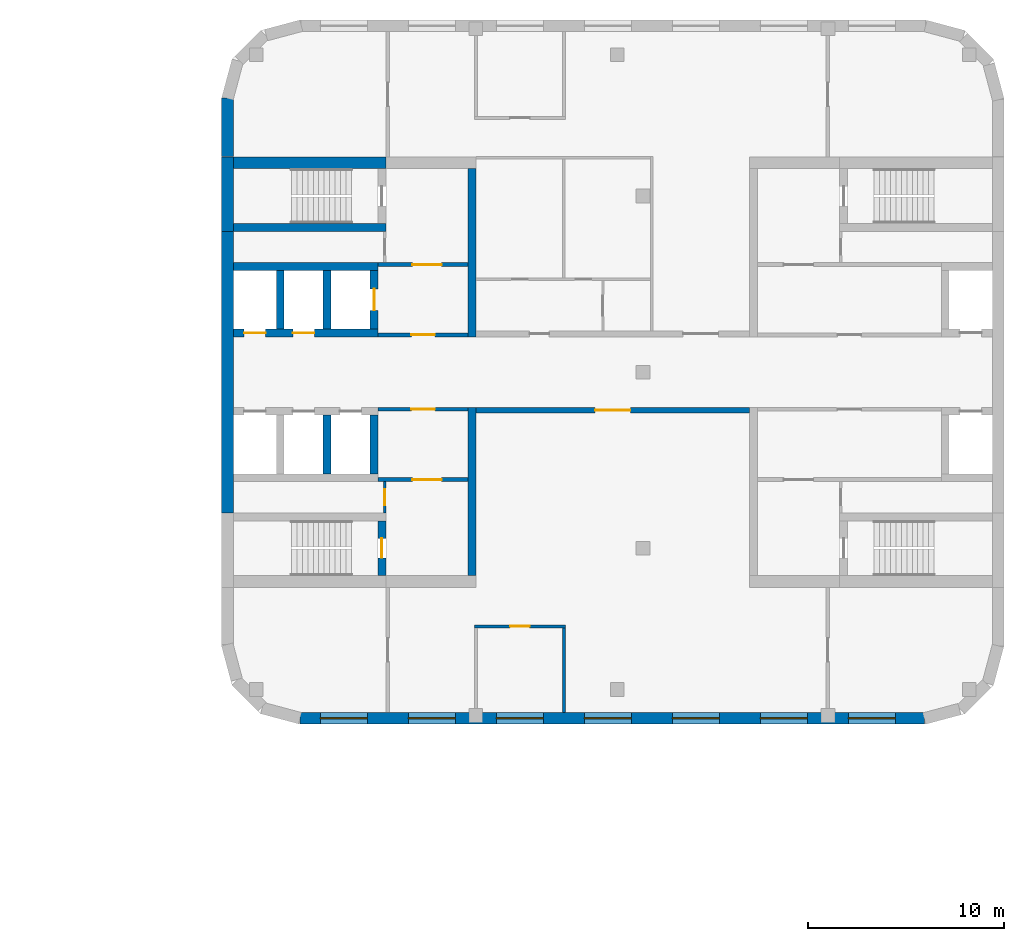
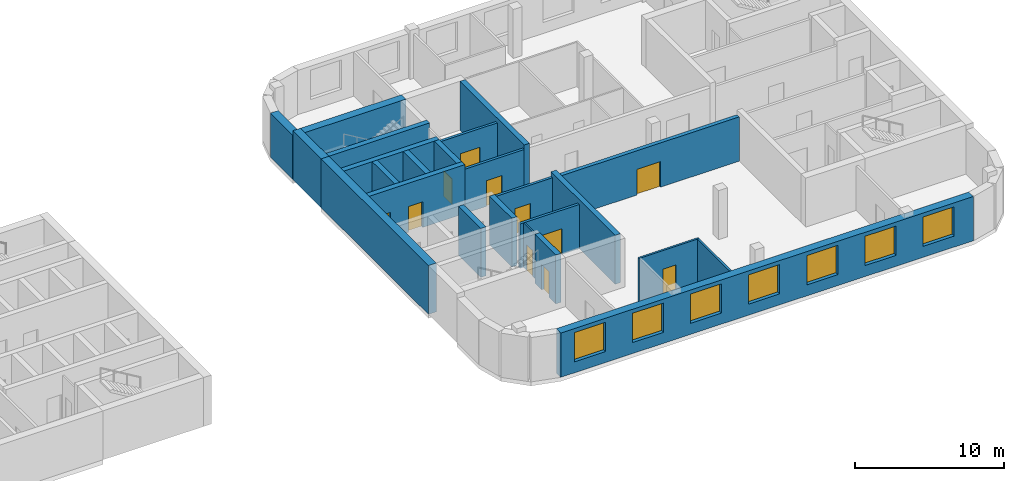
# One storey, part 7 of 12: 24 walls, 11 doors, 7 windows, 18 openings.
"""IFC4 building model written with IfcOpenShell, lengths in metres."""

from ifc_helpers import new_model, si_unit, direction, frame, frame_2d, origin, place, context, subcontext, project, spatial, rectangle, extrude, material, layer, layer_set, type_object, element, fill, save


model = new_model("IFC4")

# Units and contexts
model_context = context("Model", 3, precision=1e-05, world=origin(), true_north=direction((0.0, 1.0)))
body_context = subcontext(model_context, "Body", "Model", "MODEL_VIEW")
ifc_project = project(units=[si_unit("LENGTHUNIT", "METRE"), si_unit("AREAUNIT", "SQUARE_METRE"), si_unit("VOLUMEUNIT", "CUBIC_METRE"), si_unit("PLANEANGLEUNIT", "RADIAN"), si_unit("MASSUNIT", "GRAM", prefix="KILO")], contexts=[model_context])

# Site, building, storey
site_placement = place(None, origin())
site = spatial("IfcSite", under=ifc_project, at=site_placement, CompositionType="ELEMENT")
building_placement = place(site_placement, origin())
building = spatial("IfcBuilding", under=site, at=building_placement, Name="Skarvind Civic Tower", CompositionType="ELEMENT")
storey_placement = place(building_placement, frame((0.0, 0.0, 59.5)))
storey = spatial("IfcBuildingStorey", under=building, at=storey_placement, Name="L13", CompositionType="ELEMENT", Elevation=59.5)

# Wall, opening, door
ifc_material_1 = material(Name="Fire-rated gypsum board on steel studs", Category="steel")
ifc_layer_1 = layer(ifc_material_1, 0.300048828125)
ifc_layer_set_1 = layer_set([ifc_layer_1], Name="CORRIDOR WALL 300")
wall_type_1 = type_object("IfcWallType", Name="CORRIDOR WALL 300", PredefinedType="PARTITIONING", material=ifc_layer_set_1)
wall_1_placement = place(storey_placement, frame((154.0, 126.050048828125, 0.0), z_axis=(0.0, 0.0, 1.0), x_axis=(-1.0, 0.0, 0.0)))
wall_1 = element("IfcWall", 1, at=wall_1_placement, inside=storey, type_object=wall_type_1, Name="Partition 13.015", PredefinedType="PARTITIONING", context=body_context, shape_type="SweptSolid", body=[
    extrude(rectangle(XDim=14.0, YDim=0.300048828125, at=frame_2d((7.0, 0.0))), origin(), (0.0, 0.0, 1.0), 3.625),
])
opening_1_placement = place(wall_1_placement, frame((6.10009765625, 0.0, 0.0)))
opening_1 = element("IfcOpeningElement", 2, at=opening_1_placement, cuts=wall_1, Name="Opening L13-D109", PredefinedType="OPENING", context=body_context, shape_type="SweptSolid", body=[
    extrude(rectangle(XDim=1.800048828125, YDim=2.10009765625, at=frame_2d((0.89990234375, 1.050048828125))), frame((0.0, 0.159912109375, 0.0), z_axis=(0.0, -1.0, 0.0), x_axis=(1.0, 0.0, 0.0)), (0.0, 0.0, 1.0), 0.320068359375),
])
ifc_material_2 = material(Name="Fire-rated timber door leaf", Category="wood")
door_type_1 = type_object("IfcDoorType", Name="FD4 1800x2100", OperationType="NOTDEFINED", PredefinedType="DOOR", material=ifc_material_2)
door_1_placement = place(opening_1_placement, origin())
door_1 = element("IfcDoor", 3, at=door_1_placement, inside=storey, type_object=door_type_1, Name="Door L13-D109", OperationType="DOUBLE_DOOR_SINGLE_SWING", OverallHeight=2.10009765625, OverallWidth=1.800048828125, PredefinedType="DOOR", context=body_context, shape_type="SweptSolid", body=[
    extrude(rectangle(XDim=1.800048828125, YDim=2.10009765625, at=frame_2d((0.89990234375, 1.050048828125))), frame((0.0, 0.02490234375, 0.0), z_axis=(0.0, -1.0, 0.0), x_axis=(1.0, 0.0, 0.0)), (0.0, 0.0, 1.0), 0.050048828125),
])
fill(opening_1, door_1)

ifc_material_3 = material(Name="Fire-rated masonry partition", Category="masonry")
ifc_layer_2 = layer(ifc_material_3, 0.199951171875)
ifc_layer_set_2 = layer_set([ifc_layer_2], Name="Core enclosure wall 200")
wall_type_2 = type_object("IfcWallType", Name="Core enclosure wall 200", PredefinedType="PARTITIONING", material=ifc_layer_set_2)
wall_2_placement = place(storey_placement, frame((135.0, 129.89990234375, 0.0), z_axis=(0.0, 0.0, 1.0), x_axis=(1.0, 0.0, 0.0)))
wall_2 = element("IfcWall", 4, at=wall_2_placement, inside=storey, type_object=wall_type_2, Name="Core wall CA", PredefinedType="PARTITIONING", context=body_context, shape_type="SweptSolid", body=[
    extrude(rectangle(XDim=4.60009765625, YDim=0.199951171875, at=frame_2d((2.300048828125, 0.0))), origin(), (0.0, 0.0, 1.0), 3.625),
])
opening_2_placement = place(wall_2_placement, frame((1.699951171875, 0.0, 0.0)))
opening_2 = element("IfcOpeningElement", 5, at=opening_2_placement, cuts=wall_2, Name="Opening D-L13-CA-06", PredefinedType="OPENING", context=body_context, shape_type="SweptSolid", body=[
    extrude(rectangle(XDim=1.199951171875, YDim=2.10009765625, at=frame_2d((0.60009765625, 1.050048828125))), frame((0.0, 0.10986328125, 0.0), z_axis=(0.0, -1.0, 0.0), x_axis=(1.0, 0.0, 0.0)), (0.0, 0.0, 1.0), 0.219970703125),
])
ifc_material_4 = material(Name="Fire-rated steel door", Category="steel")
door_type_2 = type_object("IfcDoorType", Name="Core lobby door 1200", OperationType="NOTDEFINED", PredefinedType="DOOR", material=ifc_material_4)
door_2_placement = place(opening_2_placement, origin())
door_2 = element("IfcDoor", 6, at=door_2_placement, inside=storey, type_object=door_type_2, Name="Fire door", OperationType="DOUBLE_DOOR_SINGLE_SWING", OverallHeight=2.10009765625, OverallWidth=1.199951171875, PredefinedType="DOOR", context=body_context, shape_type="SweptSolid", body=[
    extrude(rectangle(XDim=1.199951171875, YDim=2.10009765625, at=frame_2d((0.60009765625, 1.050048828125))), frame((0.0, 0.02490234375, 0.0), z_axis=(0.0, -1.0, 0.0), x_axis=(1.0, 0.0, 0.0)), (0.0, 0.0, 1.0), 0.050048828125),
])
fill(opening_2, door_2)

wall_3_placement = place(storey_placement, frame((135.0, 133.5, 0.0), z_axis=(0.0, 0.0, 1.0), x_axis=(1.0, 0.0, 0.0)))
wall_3 = element("IfcWall", 7, at=wall_3_placement, inside=storey, type_object=wall_type_2, Name="Core wall CA", PredefinedType="PARTITIONING", context=body_context, shape_type="SweptSolid", body=[
    extrude(rectangle(XDim=4.60009765625, YDim=0.199951171875, at=frame_2d((2.300048828125, 0.0))), origin(), (0.0, 0.0, 1.0), 3.625),
])
opening_3_placement = place(wall_3_placement, frame((1.75, 0.0, 0.0)))
opening_3 = element("IfcOpeningElement", 8, at=opening_3_placement, cuts=wall_3, Name="Opening D-L13-CA-07", PredefinedType="OPENING", context=body_context, shape_type="SweptSolid", body=[
    extrude(rectangle(XDim=1.5, YDim=2.10009765625, at=frame_2d((0.75, 1.050048828125))), frame((0.0, 0.10986328125, 0.0), z_axis=(0.0, -1.0, 0.0), x_axis=(1.0, 0.0, 0.0)), (0.0, 0.0, 1.0), 0.219970703125),
])
door_type_3 = type_object("IfcDoorType", Name="Fire door 1500", OperationType="NOTDEFINED", PredefinedType="DOOR", material=ifc_material_4)
door_3_placement = place(opening_3_placement, origin())
door_3 = element("IfcDoor", 9, at=door_3_placement, inside=storey, type_object=door_type_3, Name="Fire door", OperationType="DOUBLE_DOOR_SINGLE_SWING", OverallHeight=2.10009765625, OverallWidth=1.5, PredefinedType="DOOR", context=body_context, shape_type="SweptSolid", body=[
    extrude(rectangle(XDim=1.5, YDim=2.10009765625, at=frame_2d((0.75, 1.050048828125))), frame((0.0, 0.02490234375, 0.0), z_axis=(0.0, -1.0, 0.0), x_axis=(1.0, 0.0, 0.0)), (0.0, 0.0, 1.0), 0.050048828125),
])
fill(opening_3, door_3)

wall_4_placement = place(storey_placement, frame((139.60009765625, 126.10009765625, 0.0), z_axis=(0.0, 0.0, 1.0), x_axis=(-1.0, 0.0, 0.0)))
wall_4 = element("IfcWall", 10, at=wall_4_placement, inside=storey, type_object=wall_type_2, Name="Core wall CA", PredefinedType="PARTITIONING", context=body_context, shape_type="SweptSolid", body=[
    extrude(rectangle(XDim=4.60009765625, YDim=0.199951171875, at=frame_2d((2.300048828125, 0.0))), origin(), (0.0, 0.0, 1.0), 3.625),
])
opening_4_placement = place(wall_4_placement, frame((1.699951171875, 0.0, 0.0)))
opening_4 = element("IfcOpeningElement", 11, at=opening_4_placement, cuts=wall_4, Name="Opening D-L13-CA-10", PredefinedType="OPENING", context=body_context, shape_type="SweptSolid", body=[
    extrude(rectangle(XDim=1.199951171875, YDim=2.10009765625, at=frame_2d((0.60009765625, 1.050048828125))), frame((0.0, 0.10986328125, 0.0), z_axis=(0.0, -1.0, 0.0), x_axis=(1.0, 0.0, 0.0)), (0.0, 0.0, 1.0), 0.219970703125),
])
door_4_placement = place(opening_4_placement, origin())
door_4 = element("IfcDoor", 12, at=door_4_placement, inside=storey, type_object=door_type_2, Name="Fire door", OperationType="DOUBLE_DOOR_SINGLE_SWING", OverallHeight=2.10009765625, OverallWidth=1.199951171875, PredefinedType="DOOR", context=body_context, shape_type="SweptSolid", body=[
    extrude(rectangle(XDim=1.199951171875, YDim=2.10009765625, at=frame_2d((0.60009765625, 1.050048828125))), frame((0.0, 0.02490234375, 0.0), z_axis=(0.0, -1.0, 0.0), x_axis=(1.0, 0.0, 0.0)), (0.0, 0.0, 1.0), 0.050048828125),
])
fill(opening_4, door_4)

wall_5_placement = place(storey_placement, frame((139.60009765625, 122.5, 0.0), z_axis=(0.0, 0.0, 1.0), x_axis=(-1.0, 0.0, 0.0)))
wall_5 = element("IfcWall", 13, at=wall_5_placement, inside=storey, type_object=wall_type_2, Name="Core wall CA", PredefinedType="PARTITIONING", context=body_context, shape_type="SweptSolid", body=[
    extrude(rectangle(XDim=4.60009765625, YDim=0.199951171875, at=frame_2d((2.300048828125, 0.0))), origin(), (0.0, 0.0, 1.0), 3.625),
])
opening_5_placement = place(wall_5_placement, frame((1.35009765625, 0.0, 0.0)))
opening_5 = element("IfcOpeningElement", 14, at=opening_5_placement, cuts=wall_5, Name="Opening D-L13-CA-11", PredefinedType="OPENING", context=body_context, shape_type="SweptSolid", body=[
    extrude(rectangle(XDim=1.5, YDim=2.10009765625, at=frame_2d((0.75, 1.050048828125))), frame((0.0, 0.10986328125, 0.0), z_axis=(0.0, -1.0, 0.0), x_axis=(1.0, 0.0, 0.0)), (0.0, 0.0, 1.0), 0.219970703125),
])
door_5_placement = place(opening_5_placement, origin())
door_5 = element("IfcDoor", 15, at=door_5_placement, inside=storey, type_object=door_type_3, Name="Fire door", OperationType="DOUBLE_DOOR_SINGLE_SWING", OverallHeight=2.10009765625, OverallWidth=1.5, PredefinedType="DOOR", context=body_context, shape_type="SweptSolid", body=[
    extrude(rectangle(XDim=1.5, YDim=2.10009765625, at=frame_2d((0.75, 1.050048828125))), frame((0.0, 0.02490234375, 0.0), z_axis=(0.0, -1.0, 0.0), x_axis=(1.0, 0.0, 0.0)), (0.0, 0.0, 1.0), 0.050048828125),
])
fill(opening_5, door_5)

ifc_material_5 = material(Name="Concrete C80", Category="concrete")
ifc_layer_3 = layer(ifc_material_5, 0.39990234375)
ifc_layer_set_3 = layer_set([ifc_layer_3], Name="Core wall 400 C80")
wall_type_3 = type_object("IfcWallType", Name="Core wall 400 C80", PredefinedType="SHEAR", material=ifc_layer_set_3)
wall_6_placement = place(storey_placement, frame((135.199951171875, 117.60009765625, 0.0), z_axis=(0.0, 0.0, 1.0), x_axis=(0.0, 1.0, 0.0)))
wall_6 = element("IfcWall", 16, at=wall_6_placement, inside=storey, type_object=wall_type_3, Name="Core wall CA south stair end L13", PredefinedType="SHEAR", context=body_context, shape_type="SweptSolid", body=[
    extrude(rectangle(XDim=2.7998046875, YDim=0.39990234375, at=frame_2d((1.39990234375, 0.0))), origin(), (0.0, 0.0, 1.0), 4.0),
])
opening_6_placement = place(wall_6_placement, frame((0.89990234375, 0.0, 0.0)))
opening_6 = element("IfcOpeningElement", 17, at=opening_6_placement, cuts=wall_6, Name="Opening D-L13-CA-12", PredefinedType="OPENING", context=body_context, shape_type="SweptSolid", body=[
    extrude(rectangle(XDim=1.0, YDim=2.10009765625, at=frame_2d((0.5, 1.050048828125))), frame((0.0, 0.2099609375, 0.0), z_axis=(0.0, -1.0, 0.0), x_axis=(1.0, 0.0, 0.0)), (0.0, 0.0, 1.0), 0.419921875),
])
door_type_4 = type_object("IfcDoorType", Name="Fire door 1000", OperationType="NOTDEFINED", PredefinedType="DOOR", material=ifc_material_4)
door_6_placement = place(opening_6_placement, origin())
door_6 = element("IfcDoor", 18, at=door_6_placement, inside=storey, type_object=door_type_4, Name="Fire door", OperationType="SINGLE_SWING_RIGHT", OverallHeight=2.10009765625, OverallWidth=1.0, PredefinedType="DOOR", context=body_context, shape_type="SweptSolid", body=[
    extrude(rectangle(XDim=1.0, YDim=2.10009765625, at=frame_2d((0.5, 1.050048828125))), frame((0.0, 0.02490234375, 0.0), z_axis=(0.0, -1.0, 0.0), x_axis=(1.0, 0.0, 0.0)), (0.0, 0.0, 1.0), 0.050048828125),
])
fill(opening_6, door_6)

# Walls
wall_7_placement = place(storey_placement, frame((127.60009765625, 135.39990234375, 0.0), z_axis=(0.0, 0.0, 1.0), x_axis=(1.0, 0.0, 0.0)))
element("IfcWall", 19, at=wall_7_placement, inside=storey, type_object=wall_type_3, Name="Core wall CA north stair inner L13", PredefinedType="SHEAR", context=body_context, shape_type="SweptSolid", body=[
    extrude(rectangle(XDim=7.7998046875, YDim=0.39990234375, at=frame_2d((3.89990234375, 0.0))), origin(), (0.0, 0.0, 1.0), 4.0),
])
for number, where, z_axis, x_axis, name in (
    (20, (132.39990234375, 122.800048828125, 0.0), (0.0, 0.0, 1.0), (0.0, 1.0, 0.0), "Core wall CA south lift row division 2 L13"),
    (21, (134.800048828125, 122.800048828125, 0.0), (0.0, 0.0, 1.0), (0.0, 1.0, 0.0), "Core wall CA south lift row division 3 L13"),
):
    element("IfcWall", number, at=place(storey_placement, frame(where, z_axis=z_axis, x_axis=x_axis)), inside=storey, type_object=wall_type_3, Name=name, PredefinedType="SHEAR", context=body_context, shape_type="SweptSolid", body=[
        extrude(rectangle(XDim=3.0, YDim=0.39990234375, at=frame_2d((1.5, 0.0))), origin(), (0.0, 0.0, 1.0), 4.0),
    ])

# Wall, openings, doors
wall_8_placement = place(storey_placement, frame((127.60009765625, 130.0, 0.0), z_axis=(0.0, 0.0, 1.0), x_axis=(1.0, 0.0, 0.0)))
wall_8 = element("IfcWall", 22, at=wall_8_placement, inside=storey, type_object=wall_type_3, Name="Core wall CA north lift row front L13", PredefinedType="SHEAR", context=body_context, shape_type="SweptSolid", body=[
    extrude(rectangle(XDim=7.39990234375, YDim=0.39990234375, at=frame_2d((3.699951171875, 0.0))), origin(), (0.0, 0.0, 1.0), 4.0),
])
opening_7_placement = place(wall_8_placement, frame((0.550048828125, 0.0, 0.0)))
opening_7 = element("IfcOpeningElement", 23, at=opening_7_placement, cuts=wall_8, Name="Opening LD15301", PredefinedType="OPENING", context=body_context, shape_type="SweptSolid", body=[
    extrude(rectangle(XDim=1.10009765625, YDim=2.10009765625, at=frame_2d((0.550048828125, 1.050048828125))), frame((0.0, 0.2099609375, 0.0), z_axis=(0.0, -1.0, 0.0), x_axis=(1.0, 0.0, 0.0)), (0.0, 0.0, 1.0), 0.419921875),
])
opening_8_placement = place(wall_8_placement, frame((3.050048828125, 0.0, 0.0)))
opening_8 = element("IfcOpeningElement", 24, at=opening_8_placement, cuts=wall_8, Name="Opening LD15302", PredefinedType="OPENING", context=body_context, shape_type="SweptSolid", body=[
    extrude(rectangle(XDim=1.10009765625, YDim=2.10009765625, at=frame_2d((0.550048828125, 1.050048828125))), frame((0.0, 0.2099609375, 0.0), z_axis=(0.0, -1.0, 0.0), x_axis=(1.0, 0.0, 0.0)), (0.0, 0.0, 1.0), 0.419921875),
])
ifc_material_6 = material(Name="Stainless steel landing door", Category="steel")
door_type_5 = type_object("IfcDoorType", Name="Lift landing door 1100", OperationType="DOUBLE_DOOR_SLIDING", PredefinedType="DOOR", material=ifc_material_6)
door_7_placement = place(opening_7_placement, origin())
door_7 = element("IfcDoor", 25, at=door_7_placement, inside=storey, type_object=door_type_5, Name="Lift landing door", OperationType="DOUBLE_DOOR_SLIDING", OverallHeight=2.10009765625, OverallWidth=1.10009765625, PredefinedType="DOOR", context=body_context, shape_type="SweptSolid", body=[
    extrude(rectangle(XDim=1.10009765625, YDim=2.10009765625, at=frame_2d((0.550048828125, 1.050048828125))), frame((0.0, 0.02490234375, 0.0), z_axis=(0.0, -1.0, 0.0), x_axis=(1.0, 0.0, 0.0)), (0.0, 0.0, 1.0), 0.050048828125),
])
fill(opening_7, door_7)
door_8_placement = place(opening_8_placement, origin())
door_8 = element("IfcDoor", 26, at=door_8_placement, inside=storey, type_object=door_type_5, Name="Lift landing door", OperationType="DOUBLE_DOOR_SLIDING", OverallHeight=2.10009765625, OverallWidth=1.10009765625, PredefinedType="DOOR", context=body_context, shape_type="SweptSolid", body=[
    extrude(rectangle(XDim=1.10009765625, YDim=2.10009765625, at=frame_2d((0.550048828125, 1.050048828125))), frame((0.0, 0.02490234375, 0.0), z_axis=(0.0, -1.0, 0.0), x_axis=(1.0, 0.0, 0.0)), (0.0, 0.0, 1.0), 0.050048828125),
])
fill(opening_8, door_8)

# Walls
wall_9_placement = place(storey_placement, frame((127.60009765625, 133.39990234375, 0.0), z_axis=(0.0, 0.0, 1.0), x_axis=(1.0, 0.0, 0.0)))
element("IfcWall", 27, at=wall_9_placement, inside=storey, type_object=wall_type_3, Name="Core wall CA north lift row back L13", PredefinedType="SHEAR", context=body_context, shape_type="SweptSolid", body=[
    extrude(rectangle(XDim=7.39990234375, YDim=0.39990234375, at=frame_2d((3.699951171875, 0.0))), origin(), (0.0, 0.0, 1.0), 4.0),
])
for number, where, z_axis, x_axis, name in (
    (28, (130.0, 130.199951171875, 0.0), (0.0, 0.0, 1.0), (0.0, 1.0, 0.0), "Core wall CA north lift row division 1 L13"),
    (29, (132.39990234375, 130.199951171875, 0.0), (0.0, 0.0, 1.0), (0.0, 1.0, 0.0), "Core wall CA north lift row division 2 L13"),
):
    element("IfcWall", number, at=place(storey_placement, frame(where, z_axis=z_axis, x_axis=x_axis)), inside=storey, type_object=wall_type_3, Name=name, PredefinedType="SHEAR", context=body_context, shape_type="SweptSolid", body=[
        extrude(rectangle(XDim=3.0, YDim=0.39990234375, at=frame_2d((1.5, 0.0))), origin(), (0.0, 0.0, 1.0), 4.0),
    ])

# Wall, opening, door
wall_10_placement = place(storey_placement, frame((134.800048828125, 130.199951171875, 0.0), z_axis=(0.0, 0.0, 1.0), x_axis=(0.0, 1.0, 0.0)))
wall_10 = element("IfcWall", 30, at=wall_10_placement, inside=storey, type_object=wall_type_3, Name="Core wall CA north lift row division 3 L13", PredefinedType="SHEAR", context=body_context, shape_type="SweptSolid", body=[
    extrude(rectangle(XDim=3.0, YDim=0.39990234375, at=frame_2d((1.5, 0.0))), origin(), (0.0, 0.0, 1.0), 4.0),
])
opening_9_placement = place(wall_10_placement, frame((0.949951171875, 0.0, 0.0)))
opening_9 = element("IfcOpeningElement", 31, at=opening_9_placement, cuts=wall_10, Name="Opening LD15303", PredefinedType="OPENING", context=body_context, shape_type="SweptSolid", body=[
    extrude(rectangle(XDim=1.10009765625, YDim=2.10009765625, at=frame_2d((0.550048828125, 1.050048828125))), frame((0.0, 0.2099609375, 0.0), z_axis=(0.0, -1.0, 0.0), x_axis=(1.0, 0.0, 0.0)), (0.0, 0.0, 1.0), 0.419921875),
])
door_9_placement = place(opening_9_placement, origin())
door_9 = element("IfcDoor", 32, at=door_9_placement, inside=storey, type_object=door_type_5, Name="Lift landing door", OperationType="DOUBLE_DOOR_SLIDING", OverallHeight=2.10009765625, OverallWidth=1.10009765625, PredefinedType="DOOR", context=body_context, shape_type="SweptSolid", body=[
    extrude(rectangle(XDim=1.10009765625, YDim=2.10009765625, at=frame_2d((0.550048828125, 1.050048828125))), frame((0.0, 0.02490234375, 0.0), z_axis=(0.0, -1.0, 0.0), x_axis=(1.0, 0.0, 0.0)), (0.0, 0.0, 1.0), 0.050048828125),
])
fill(opening_9, door_9)

# Walls
for number, where, z_axis, x_axis, name in (
    (33, (139.800048828125, 117.60009765625, 0.0), (0.0, 0.0, 1.0), (0.0, 1.0, 0.0), "Core wall CA south inner face L13"),
    (34, (139.800048828125, 129.800048828125, 0.0), (0.0, 0.0, 1.0), (0.0, 1.0, 0.0), "Core wall CA north inner face L13"),
):
    element("IfcWall", number, at=place(storey_placement, frame(where, z_axis=z_axis, x_axis=x_axis)), inside=storey, type_object=wall_type_3, Name=name, PredefinedType="SHEAR", context=body_context, shape_type="SweptSolid", body=[
        extrude(rectangle(XDim=8.599853515625, YDim=0.39990234375, at=frame_2d((4.2998046875, 0.0))), origin(), (0.0, 0.0, 1.0), 4.0),
    ])
ifc_layer_4 = layer(ifc_material_5, 0.60009765625)
ifc_layer_set_4 = layer_set([ifc_layer_4], Name="Core wall 600 C80")
wall_type_4 = type_object("IfcWallType", Name="Core wall 600 C80", PredefinedType="SHEAR", material=ifc_layer_set_4)
wall_11_placement = place(storey_placement, frame((127.300048828125, 120.800048828125, 0.0), z_axis=(0.0, 0.0, 1.0), x_axis=(0.0, 1.0, 0.0)))
element("IfcWall", 35, at=wall_11_placement, inside=storey, type_object=wall_type_4, Name="Core wall CA tip between the stairs L13", PredefinedType="SHEAR", context=body_context, shape_type="SweptSolid", body=[
    extrude(rectangle(XDim=14.39990234375, YDim=0.60009765625, at=frame_2d((7.199951171875, 0.0))), origin(), (0.0, 0.0, 1.0), 4.0),
])
wall_12_placement = place(storey_placement, frame((127.300048828125, 135.199951171875, 0.0), z_axis=(0.0, 0.0, 1.0), x_axis=(0.0, 1.0, 0.0)))
element("IfcWall", 36, at=wall_12_placement, inside=storey, type_object=wall_type_4, Name="Core wall CA tip at the north stair L13", PredefinedType="SHEAR", context=body_context, shape_type="SweptSolid", body=[
    extrude(rectangle(XDim=3.800048828125, YDim=0.60009765625, at=frame_2d((1.89990234375, 0.0))), origin(), (0.0, 0.0, 1.0), 4.0),
])
wall_13_placement = place(storey_placement, frame((127.60009765625, 138.699951171875, 0.0), z_axis=(0.0, 0.0, 1.0), x_axis=(1.0, 0.0, 0.0)))
element("IfcWall", 37, at=wall_13_placement, inside=storey, type_object=wall_type_4, Name="Core wall CA north side at the stair L13", PredefinedType="SHEAR", context=body_context, shape_type="SweptSolid", body=[
    extrude(rectangle(XDim=7.7998046875, YDim=0.60009765625, at=frame_2d((3.89990234375, 0.0))), origin(), (0.0, 0.0, 1.0), 4.0),
])

# Wall, opening, door
ifc_material_7 = material(Name="Plasterboard partition on steel studs", Category="steel")
ifc_layer_5 = layer(ifc_material_7, 0.14990234375)
ifc_layer_set_5 = layer_set([ifc_layer_5], Name="PARTITION 150")
wall_type_5 = type_object("IfcWallType", Name="PARTITION 150", PredefinedType="PARTITIONING", material=ifc_layer_set_5)
wall_14_placement = place(storey_placement, frame((139.925048828125, 115.0, 0.0), z_axis=(0.0, 0.0, 1.0), x_axis=(1.0, 0.0, 0.0)))
wall_14 = element("IfcWall", 38, at=wall_14_placement, inside=storey, type_object=wall_type_5, Name="Partition 13.004", PredefinedType="PARTITIONING", context=body_context, shape_type="SweptSolid", body=[
    extrude(rectangle(XDim=4.64990234375, YDim=0.14990234375, at=frame_2d((2.324951171875, 0.0))), origin(), (0.0, 0.0, 1.0), 3.625),
])
opening_10_placement = place(wall_14_placement, frame((1.824951171875, 0.0, 0.0)))
opening_10 = element("IfcOpeningElement", 39, at=opening_10_placement, cuts=wall_14, Name="Opening L13-D110", PredefinedType="OPENING", context=body_context, shape_type="SweptSolid", body=[
    extrude(rectangle(XDim=1.0, YDim=2.10009765625, at=frame_2d((0.5, 1.050048828125))), frame((0.0, 0.0849609375, 0.0), z_axis=(0.0, -1.0, 0.0), x_axis=(1.0, 0.0, 0.0)), (0.0, 0.0, 1.0), 0.169921875),
])
ifc_material_8 = material(Name="Timber door leaf", Category="wood")
door_type_6 = type_object("IfcDoorType", Name="D1 1000x2100", OperationType="NOTDEFINED", PredefinedType="DOOR", material=ifc_material_8)
door_10_placement = place(opening_10_placement, origin())
door_10 = element("IfcDoor", 40, at=door_10_placement, inside=storey, type_object=door_type_6, Name="Door L13-D110", OperationType="SINGLE_SWING_LEFT", OverallHeight=2.10009765625, OverallWidth=1.0, PredefinedType="DOOR", context=body_context, shape_type="SweptSolid", body=[
    extrude(rectangle(XDim=1.0, YDim=2.10009765625, at=frame_2d((0.5, 1.050048828125))), frame((0.0, 0.02490234375, 0.0), z_axis=(0.0, -1.0, 0.0), x_axis=(1.0, 0.0, 0.0)), (0.0, 0.0, 1.0), 0.050048828125),
])
fill(opening_10, door_10)

# Wall
wall_15_placement = place(storey_placement, frame((144.5, 114.925048828125, 0.0), z_axis=(0.0, 0.0, 1.0), x_axis=(0.0, -1.0, 0.0)))
element("IfcWall", 41, at=wall_15_placement, inside=storey, type_object=wall_type_5, Name="Partition 13.009", PredefinedType="PARTITIONING", context=body_context, shape_type="SweptSolid", body=[
    extrude(rectangle(XDim=4.324951171875, YDim=0.14990234375, at=frame_2d((2.16259765625, 0.0))), origin(), (0.0, 0.0, 1.0), 3.625),
])

# Wall, opening, door
ifc_layer_6 = layer(ifc_material_3, 0.125)
ifc_layer_set_6 = layer_set([ifc_layer_6], Name="Riser wall 125")
wall_type_6 = type_object("IfcWallType", Name="Riser wall 125", PredefinedType="PARTITIONING", material=ifc_layer_set_6)
wall_16_placement = place(storey_placement, frame((135.33740234375, 122.39990234375, 0.0), z_axis=(0.0, 0.0, 1.0), x_axis=(0.0, -1.0, 0.0)))
wall_16 = element("IfcWall", 42, at=wall_16_placement, inside=storey, type_object=wall_type_6, Name="Core wall CA", PredefinedType="PARTITIONING", context=body_context, shape_type="SweptSolid", body=[
    extrude(rectangle(XDim=1.599853515625, YDim=0.125, at=frame_2d((0.7998046875, 0.0))), origin(), (0.0, 0.0, 1.0), 3.625),
])
opening_11_placement = place(wall_16_placement, frame((0.39990234375, 0.0, 0.0)))
opening_11 = element("IfcOpeningElement", 43, at=opening_11_placement, cuts=wall_16, Name="Opening D-L13-CA-13", PredefinedType="OPENING", context=body_context, shape_type="SweptSolid", body=[
    extrude(rectangle(XDim=0.800048828125, YDim=2.10009765625, at=frame_2d((0.39990234375, 1.050048828125))), frame((0.0, 0.072509765625, 0.0), z_axis=(0.0, -1.0, 0.0), x_axis=(1.0, 0.0, 0.0)), (0.0, 0.0, 1.0), 0.14501953125),
])
door_type_7 = type_object("IfcDoorType", Name="Core riser door 800", OperationType="NOTDEFINED", PredefinedType="DOOR", material=ifc_material_4)
door_11_placement = place(opening_11_placement, origin())
door_11 = element("IfcDoor", 44, at=door_11_placement, inside=storey, type_object=door_type_7, Name="Riser door", OperationType="SINGLE_SWING_LEFT", OverallHeight=2.10009765625, OverallWidth=0.800048828125, PredefinedType="DOOR", context=body_context, shape_type="SweptSolid", body=[
    extrude(rectangle(XDim=0.800048828125, YDim=2.10009765625, at=frame_2d((0.39990234375, 1.050048828125))), frame((0.0, 0.02490234375, 0.0), z_axis=(0.0, -1.0, 0.0), x_axis=(1.0, 0.0, 0.0)), (0.0, 0.0, 1.0), 0.050048828125),
])
fill(opening_11, door_11)

# Wall
ifc_material_9 = material(Name="Limestone masonry cladding on insulated backing", Category="masonry")
ifc_layer_7 = layer(ifc_material_9, 0.60009765625)
ifc_layer_set_7 = layer_set([ifc_layer_7], Name="WX1 STONE FACADE WALL 600")
wall_type_7 = type_object("IfcWallType", Name="WX1 STONE FACADE WALL 600", PredefinedType="SOLIDWALL", material=ifc_layer_set_7)
wall_17_placement = place(storey_placement, frame((127.300048828125, 139.02001953125, 0.0), z_axis=(0.0, 0.0, 1.0), x_axis=(0.0, 1.0, 0.0)))
element("IfcWall", 45, at=wall_17_placement, inside=storey, type_object=wall_type_7, Name="STONE FACADE WALL", PredefinedType="SOLIDWALL", context=body_context, shape_type="SweptSolid", body=[
    extrude(rectangle(XDim=2.97998046875, YDim=0.60009765625, at=frame_2d((1.489990234375, 0.0))), origin(), (0.0, 0.0, 1.0), 3.625),
])

# Wall, openings, windows
wall_18_placement = place(storey_placement, frame((162.929931640625, 110.300048828125, 0.0), z_axis=(0.0, 0.0, 1.0), x_axis=(-1.0, 0.0, 0.0)))
wall_18 = element("IfcWall", 46, at=wall_18_placement, inside=storey, type_object=wall_type_7, Name="STONE FACADE WALL", PredefinedType="SOLIDWALL", context=body_context, shape_type="SweptSolid", body=[
    extrude(rectangle(XDim=31.929931640625, YDim=0.60009765625, at=frame_2d((15.96484375, 0.0))), origin(), (0.0, 0.0, 1.0), 3.625),
])
opening_12_placement = place(wall_18_placement, frame((1.47998046875, 0.0, 0.89990234375)))
opening_12 = element("IfcOpeningElement", 47, at=opening_12_placement, cuts=wall_18, Name="Opening WN9", PredefinedType="OPENING", context=body_context, shape_type="SweptSolid", body=[
    extrude(rectangle(XDim=2.39990234375, YDim=2.39990234375, at=frame_2d((1.199951171875, 1.199951171875))), frame((0.0, 0.31005859375, 0.0), z_axis=(0.0, -1.0, 0.0), x_axis=(1.0, 0.0, 0.0)), (0.0, 0.0, 1.0), 0.6201171875),
])
opening_13_placement = place(wall_18_placement, frame((5.97998046875, 0.0, 0.89990234375)))
opening_13 = element("IfcOpeningElement", 48, at=opening_13_placement, cuts=wall_18, Name="Opening WN9", PredefinedType="OPENING", context=body_context, shape_type="SweptSolid", body=[
    extrude(rectangle(XDim=2.39990234375, YDim=2.39990234375, at=frame_2d((1.199951171875, 1.199951171875))), frame((0.0, 0.31005859375, 0.0), z_axis=(0.0, -1.0, 0.0), x_axis=(1.0, 0.0, 0.0)), (0.0, 0.0, 1.0), 0.6201171875),
])
opening_14_placement = place(wall_18_placement, frame((10.47998046875, 0.0, 0.89990234375)))
opening_14 = element("IfcOpeningElement", 49, at=opening_14_placement, cuts=wall_18, Name="Opening WN9", PredefinedType="OPENING", context=body_context, shape_type="SweptSolid", body=[
    extrude(rectangle(XDim=2.39990234375, YDim=2.39990234375, at=frame_2d((1.199951171875, 1.199951171875))), frame((0.0, 0.31005859375, 0.0), z_axis=(0.0, -1.0, 0.0), x_axis=(1.0, 0.0, 0.0)), (0.0, 0.0, 1.0), 0.6201171875),
])
opening_15_placement = place(wall_18_placement, frame((14.97998046875, 0.0, 0.89990234375)))
opening_15 = element("IfcOpeningElement", 50, at=opening_15_placement, cuts=wall_18, Name="Opening WN9", PredefinedType="OPENING", context=body_context, shape_type="SweptSolid", body=[
    extrude(rectangle(XDim=2.39990234375, YDim=2.39990234375, at=frame_2d((1.199951171875, 1.199951171875))), frame((0.0, 0.31005859375, 0.0), z_axis=(0.0, -1.0, 0.0), x_axis=(1.0, 0.0, 0.0)), (0.0, 0.0, 1.0), 0.6201171875),
])
opening_16_placement = place(wall_18_placement, frame((19.47998046875, 0.0, 0.89990234375)))
opening_16 = element("IfcOpeningElement", 51, at=opening_16_placement, cuts=wall_18, Name="Opening WN9", PredefinedType="OPENING", context=body_context, shape_type="SweptSolid", body=[
    extrude(rectangle(XDim=2.39990234375, YDim=2.39990234375, at=frame_2d((1.199951171875, 1.199951171875))), frame((0.0, 0.31005859375, 0.0), z_axis=(0.0, -1.0, 0.0), x_axis=(1.0, 0.0, 0.0)), (0.0, 0.0, 1.0), 0.6201171875),
])
opening_17_placement = place(wall_18_placement, frame((23.97998046875, 0.0, 0.89990234375)))
opening_17 = element("IfcOpeningElement", 52, at=opening_17_placement, cuts=wall_18, Name="Opening WN9", PredefinedType="OPENING", context=body_context, shape_type="SweptSolid", body=[
    extrude(rectangle(XDim=2.39990234375, YDim=2.39990234375, at=frame_2d((1.199951171875, 1.199951171875))), frame((0.0, 0.31005859375, 0.0), z_axis=(0.0, -1.0, 0.0), x_axis=(1.0, 0.0, 0.0)), (0.0, 0.0, 1.0), 0.6201171875),
])
opening_18_placement = place(wall_18_placement, frame((28.47998046875, 0.0, 0.89990234375)))
opening_18 = element("IfcOpeningElement", 53, at=opening_18_placement, cuts=wall_18, Name="Opening WN9", PredefinedType="OPENING", context=body_context, shape_type="SweptSolid", body=[
    extrude(rectangle(XDim=2.39990234375, YDim=2.39990234375, at=frame_2d((1.199951171875, 1.199951171875))), frame((0.0, 0.31005859375, 0.0), z_axis=(0.0, -1.0, 0.0), x_axis=(1.0, 0.0, 0.0)), (0.0, 0.0, 1.0), 0.6201171875),
])
ifc_material_10 = material(Name="Timber frame, double glazing, timber-lined reveal", Category="wood")
window_type = type_object("IfcWindowType", Name="WN9 COMPANION TOWER WINDOW 2400 x 2400", PartitioningType="SINGLE_PANEL", PredefinedType="WINDOW", material=ifc_material_10)
window_1_placement = place(opening_12_placement, origin())
window_1 = element("IfcWindow", 54, at=window_1_placement, inside=storey, type_object=window_type, Name="WN9 WINDOW", OverallHeight=2.39990234375, OverallWidth=2.39990234375, PartitioningType="SINGLE_PANEL", PredefinedType="WINDOW", context=body_context, shape_type="SweptSolid", body=[
    extrude(rectangle(XDim=2.39990234375, YDim=2.39990234375, at=frame_2d((1.199951171875, 1.199951171875))), frame((0.0, 0.030029296875, 0.0), z_axis=(0.0, -1.0, 0.0), x_axis=(1.0, 0.0, 0.0)), (0.0, 0.0, 1.0), 0.06005859375),
])
fill(opening_12, window_1)
window_2_placement = place(opening_13_placement, origin())
window_2 = element("IfcWindow", 55, at=window_2_placement, inside=storey, type_object=window_type, Name="WN9 WINDOW", OverallHeight=2.39990234375, OverallWidth=2.39990234375, PartitioningType="SINGLE_PANEL", PredefinedType="WINDOW", context=body_context, shape_type="SweptSolid", body=[
    extrude(rectangle(XDim=2.39990234375, YDim=2.39990234375, at=frame_2d((1.199951171875, 1.199951171875))), frame((0.0, 0.030029296875, 0.0), z_axis=(0.0, -1.0, 0.0), x_axis=(1.0, 0.0, 0.0)), (0.0, 0.0, 1.0), 0.06005859375),
])
fill(opening_13, window_2)
window_3_placement = place(opening_14_placement, origin())
window_3 = element("IfcWindow", 56, at=window_3_placement, inside=storey, type_object=window_type, Name="WN9 WINDOW", OverallHeight=2.39990234375, OverallWidth=2.39990234375, PartitioningType="SINGLE_PANEL", PredefinedType="WINDOW", context=body_context, shape_type="SweptSolid", body=[
    extrude(rectangle(XDim=2.39990234375, YDim=2.39990234375, at=frame_2d((1.199951171875, 1.199951171875))), frame((0.0, 0.030029296875, 0.0), z_axis=(0.0, -1.0, 0.0), x_axis=(1.0, 0.0, 0.0)), (0.0, 0.0, 1.0), 0.06005859375),
])
fill(opening_14, window_3)
window_4_placement = place(opening_15_placement, origin())
window_4 = element("IfcWindow", 57, at=window_4_placement, inside=storey, type_object=window_type, Name="WN9 WINDOW", OverallHeight=2.39990234375, OverallWidth=2.39990234375, PartitioningType="SINGLE_PANEL", PredefinedType="WINDOW", context=body_context, shape_type="SweptSolid", body=[
    extrude(rectangle(XDim=2.39990234375, YDim=2.39990234375, at=frame_2d((1.199951171875, 1.199951171875))), frame((0.0, 0.030029296875, 0.0), z_axis=(0.0, -1.0, 0.0), x_axis=(1.0, 0.0, 0.0)), (0.0, 0.0, 1.0), 0.06005859375),
])
fill(opening_15, window_4)
window_5_placement = place(opening_16_placement, origin())
window_5 = element("IfcWindow", 58, at=window_5_placement, inside=storey, type_object=window_type, Name="WN9 WINDOW", OverallHeight=2.39990234375, OverallWidth=2.39990234375, PartitioningType="SINGLE_PANEL", PredefinedType="WINDOW", context=body_context, shape_type="SweptSolid", body=[
    extrude(rectangle(XDim=2.39990234375, YDim=2.39990234375, at=frame_2d((1.199951171875, 1.199951171875))), frame((0.0, 0.030029296875, 0.0), z_axis=(0.0, -1.0, 0.0), x_axis=(1.0, 0.0, 0.0)), (0.0, 0.0, 1.0), 0.06005859375),
])
fill(opening_16, window_5)
window_6_placement = place(opening_17_placement, origin())
window_6 = element("IfcWindow", 59, at=window_6_placement, inside=storey, type_object=window_type, Name="WN9 WINDOW", OverallHeight=2.39990234375, OverallWidth=2.39990234375, PartitioningType="SINGLE_PANEL", PredefinedType="WINDOW", context=body_context, shape_type="SweptSolid", body=[
    extrude(rectangle(XDim=2.39990234375, YDim=2.39990234375, at=frame_2d((1.199951171875, 1.199951171875))), frame((0.0, 0.030029296875, 0.0), z_axis=(0.0, -1.0, 0.0), x_axis=(1.0, 0.0, 0.0)), (0.0, 0.0, 1.0), 0.06005859375),
])
fill(opening_17, window_6)
window_7_placement = place(opening_18_placement, origin())
window_7 = element("IfcWindow", 60, at=window_7_placement, inside=storey, type_object=window_type, Name="WN9 WINDOW", OverallHeight=2.39990234375, OverallWidth=2.39990234375, PartitioningType="SINGLE_PANEL", PredefinedType="WINDOW", context=body_context, shape_type="SweptSolid", body=[
    extrude(rectangle(XDim=2.39990234375, YDim=2.39990234375, at=frame_2d((1.199951171875, 1.199951171875))), frame((0.0, 0.030029296875, 0.0), z_axis=(0.0, -1.0, 0.0), x_axis=(1.0, 0.0, 0.0)), (0.0, 0.0, 1.0), 0.06005859375),
])
fill(opening_18, window_7)

save(model, "model.ifc")
